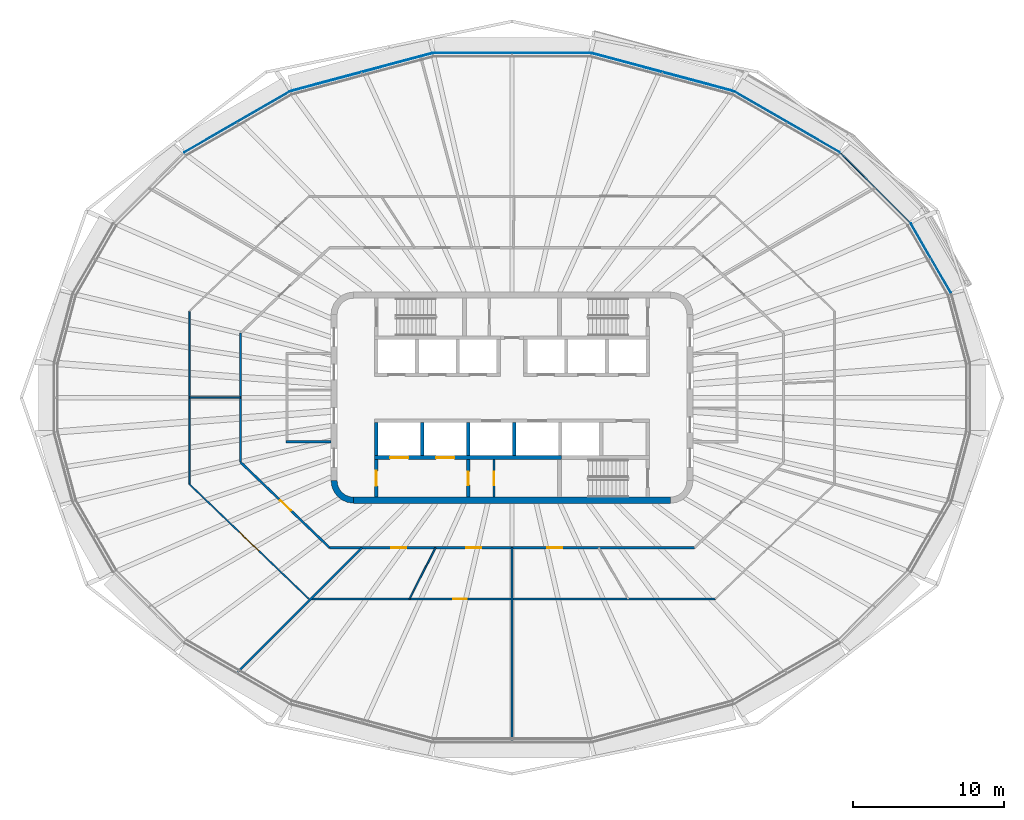
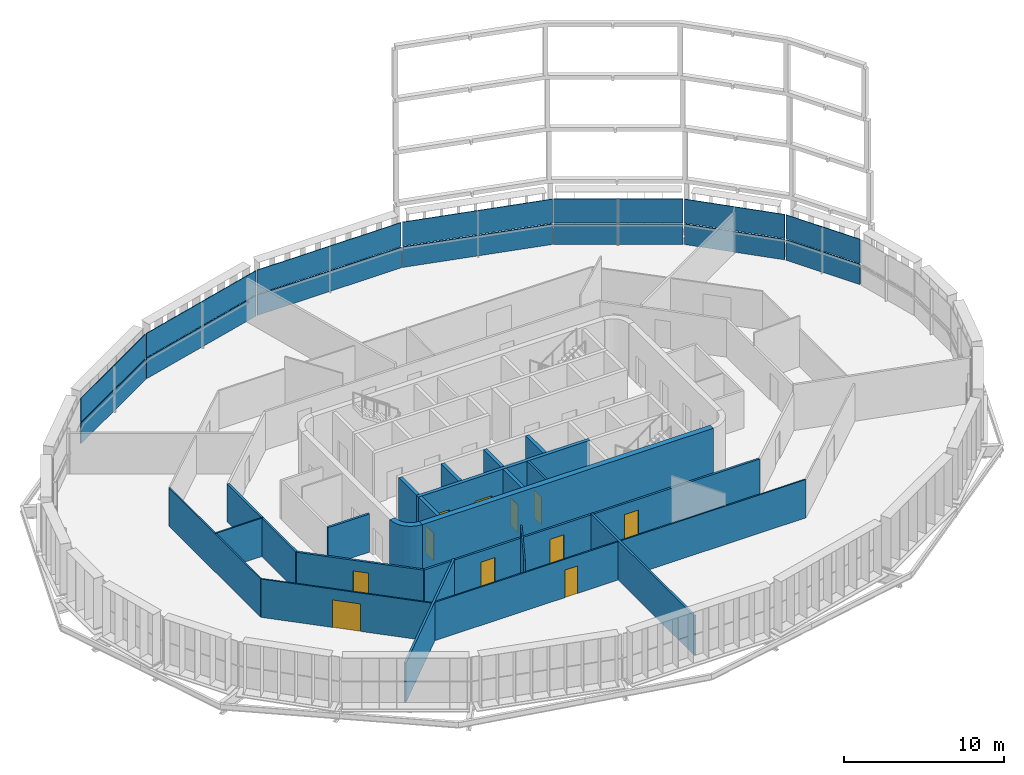
# One storey, part 10 of 20: 21 walls, 14 plates, 11 doors, 11 openings, 7 elements without a shape of their own.
"""IFC4 building model written with IfcOpenShell, lengths in metres."""

from ifc_helpers import new_model, si_unit, direction, frame, frame_2d, origin, place, context, subcontext, project, spatial, polyline, rectangle, outline, extrude, material, layer, layer_set, type_object, element, fill, aggregate, save


model = new_model("IFC4")

# Units and contexts
model_context = context("Model", 3, precision=1e-05, world=origin(), true_north=direction((0.0, 1.0)))
body_context = subcontext(model_context, "Body", "Model", "MODEL_VIEW")
ifc_project = project(units=[si_unit("LENGTHUNIT", "METRE"), si_unit("AREAUNIT", "SQUARE_METRE"), si_unit("VOLUMEUNIT", "CUBIC_METRE"), si_unit("PLANEANGLEUNIT", "RADIAN"), si_unit("MASSUNIT", "GRAM", prefix="KILO")], contexts=[model_context])

# Site, building, storey
site_placement = place(None, origin())
site = spatial("IfcSite", under=ifc_project, at=site_placement, CompositionType="ELEMENT")
building_placement = place(site_placement, origin())
building = spatial("IfcBuilding", under=site, at=building_placement, Name="Sahrelin Media Tower", CompositionType="ELEMENT")
storey_placement = place(building_placement, frame((0.0, 0.0, 255.0)))
storey = spatial("IfcBuildingStorey", under=building, at=storey_placement, Name="L55", CompositionType="ELEMENT", Elevation=255.0)

# Curtain wall, plate
ifc_material_1 = material(Name="Champagne anodised aluminium 6063-T6", Category="aluminium")
ifc_layer_1 = layer(ifc_material_1, 0.14990234375)
ifc_layer_set_1 = layer_set([ifc_layer_1], Name="Tower ribbon curtain wall")
curtain_wall_type = type_object("IfcCurtainWallType", Name="Tower ribbon curtain wall", PredefinedType="NOTDEFINED", material=ifc_layer_set_1)
curtain_wall_1_placement = place(storey_placement, frame((27.784912109375, 9.243408203125, 0.0), z_axis=(0.0, 0.0, 1.0), x_axis=(1.0, 0.0, 0.0)))
curtain_wall_1 = element("IfcCurtainWall", 1, at=curtain_wall_1_placement, inside=storey, type_object=curtain_wall_type, Name="L55:CW:L55-02", PredefinedType="NOTDEFINED")
ifc_material_2 = material(Name="Clear low-iron glazing", Category="glass")
ifc_layer_2 = layer(ifc_material_2, 0.048095703125)
ifc_layer_set_2 = layer_set([ifc_layer_2], Name="Glazing panel 48 mm CW1C")
plate_type_1 = type_object("IfcPlateType", Name="Glazing panel 48 mm CW1C", PredefinedType="CURTAIN_PANEL", material=ifc_layer_set_2)
plate_1_placement = place(storey_placement, frame((29.133544921875, 6.947509765625, 1.6298828125), z_axis=(0.866019923683, 0.500009491695, 0.0), x_axis=(-0.500009491695, 0.866019923683, 0.0)))
plate_1 = element("IfcPlate", 2, at=plate_1_placement, type_object=plate_type_1, Name="L55:CWP2:L55-02", PredefinedType="CURTAIN_PANEL", context=body_context, shape_type="SweptSolid", body=[
    extrude(outline(polyline([(0.0, 0.0), (5.32568359375, 0.0), (5.32568359375, 1.818603515625), (0.0, 1.818603515625), (0.0, 0.0)])), origin(), (0.0, 0.0, -1.0), 0.048095703125),
])

curtain_wall_2_placement = place(storey_placement, frame((24.102294921875, 13.9189453125, 0.0), z_axis=(0.0, 0.0, 1.0), x_axis=(1.0, 0.0, 0.0)))
curtain_wall_2 = element("IfcCurtainWall", 3, at=curtain_wall_2_placement, inside=storey, type_object=curtain_wall_type, Name="L55:CW:L55-03", PredefinedType="NOTDEFINED")
plate_2_placement = place(storey_placement, frame((26.4072265625, 11.642333984375, 1.6298828125), z_axis=(0.707106781187, 0.707106781187, 0.0), x_axis=(-0.707106781187, 0.707106781187, 0.0)))
plate_2 = element("IfcPlate", 4, at=plate_2_placement, type_object=plate_type_1, Name="L55:CWP2:L55-03", PredefinedType="CURTAIN_PANEL", context=body_context, shape_type="SweptSolid", body=[
    extrude(outline(polyline([(0.0, 0.0), (6.479248046875, 0.0), (6.479248046875, 1.818603515625), (0.0, 1.818603515625), (0.0, 0.0)])), origin(), (0.0, 0.0, -1.0), 0.048095703125),
])

curtain_wall_3_placement = place(storey_placement, frame((18.234375, 18.2900390625, 0.0), z_axis=(0.0, 0.0, 1.0), x_axis=(1.0, 0.0, 0.0)))
curtain_wall_3 = element("IfcCurtainWall", 5, at=curtain_wall_3_placement, inside=storey, type_object=curtain_wall_type, Name="L55:CW:L55-04", PredefinedType="NOTDEFINED")
plate_3_placement = place(storey_placement, frame((21.742919921875, 16.287353515625, 1.6298828125), z_axis=(0.500012779794, 0.866018025241, 0.0), x_axis=(-0.866018025241, 0.500012779794, 0.0)))
plate_3 = element("IfcPlate", 6, at=plate_3_placement, type_object=plate_type_1, Name="L55:CWP2:L55-04", PredefinedType="CURTAIN_PANEL", context=body_context, shape_type="SweptSolid", body=[
    extrude(outline(polyline([(0.0, 0.0), (8.079833984375, 0.0), (8.079833984375, 1.818603515625), (0.0, 1.818603515625), (0.0, 0.0)])), origin(), (0.0, 0.0, -1.0), 0.048095703125),
])

curtain_wall_4_placement = place(storey_placement, frame((9.96875, 21.6005859375, 0.0), z_axis=(0.0, 0.0, 1.0), x_axis=(1.0, 0.0, 0.0)))
curtain_wall_4 = element("IfcCurtainWall", 7, at=curtain_wall_4_placement, inside=storey, type_object=curtain_wall_type, Name="L55:CW:L55-05", PredefinedType="NOTDEFINED")
plate_4_placement = place(storey_placement, frame((14.649169921875, 20.3671875, 1.6298828125), z_axis=(0.258831891079, 0.965922384129, 0.0), x_axis=(-0.965922384129, 0.258831891079, 0.0)))
plate_4 = element("IfcPlate", 8, at=plate_4_placement, type_object=plate_type_1, Name="L55:CWP2:L55-05", PredefinedType="CURTAIN_PANEL", context=body_context, shape_type="SweptSolid", body=[
    extrude(outline(polyline([(0.0, 0.0), (9.680419921875, 0.0), (9.680419921875, 1.818603515625), (0.0, 1.818603515625), (0.0, 0.0)])), origin(), (0.0, 0.0, -1.0), 0.048095703125),
])

curtain_wall_5_placement = place(storey_placement, frame((0.0, 22.8662109375, 0.0), z_axis=(0.0, 0.0, 1.0), x_axis=(1.0, 0.0, 0.0)))
curtain_wall_5 = element("IfcCurtainWall", 9, at=curtain_wall_5_placement, inside=storey, type_object=curtain_wall_type, Name="L55:CW:L55-06", PredefinedType="NOTDEFINED")
plate_5_placement = place(storey_placement, frame((5.1953125, 22.88623046875, 1.6298828125), z_axis=(0.0, 1.0, 0.0), x_axis=(-1.0, 0.0, 0.0)))
plate_5 = element("IfcPlate", 10, at=plate_5_placement, type_object=plate_type_1, Name="L55:CWP2:L55-06", PredefinedType="CURTAIN_PANEL", context=body_context, shape_type="SweptSolid", body=[
    extrude(outline(polyline([(0.0, 0.0), (10.390625, 0.0), (10.390625, 1.818603515625), (0.0, 1.818603515625), (0.0, 0.0)])), origin(), (0.0, 0.0, -1.0), 0.048095703125),
])

curtain_wall_6_placement = place(storey_placement, frame((-9.96875, 21.6005859375, 0.0), z_axis=(0.0, 0.0, 1.0), x_axis=(1.0, 0.0, 0.0)))
curtain_wall_6 = element("IfcCurtainWall", 11, at=curtain_wall_6_placement, inside=storey, type_object=curtain_wall_type, Name="L55:CW:L55-07", PredefinedType="NOTDEFINED")
plate_6_placement = place(storey_placement, frame((-5.298583984375, 22.872802734375, 1.6298828125), z_axis=(-0.258831891079, 0.965922384129, 0.0), x_axis=(-0.965922384129, -0.258831891079, 0.0)))
plate_6 = element("IfcPlate", 12, at=plate_6_placement, type_object=plate_type_1, Name="L55:CWP2:L55-07", PredefinedType="CURTAIN_PANEL", context=body_context, shape_type="SweptSolid", body=[
    extrude(outline(polyline([(0.0, 0.0), (9.680419921875, 0.0), (9.680419921875, 1.818603515625), (0.0, 1.818603515625), (0.0, 0.0)])), origin(), (0.0, 0.0, -1.0), 0.048095703125),
])

curtain_wall_7_placement = place(storey_placement, frame((-18.234375, 18.2900390625, 0.0), z_axis=(0.0, 0.0, 1.0), x_axis=(1.0, 0.0, 0.0)))
curtain_wall_7 = element("IfcCurtainWall", 13, at=curtain_wall_7_placement, inside=storey, type_object=curtain_wall_type, Name="L55:CW:L55-08", PredefinedType="NOTDEFINED")
plate_7_placement = place(storey_placement, frame((-14.74560546875, 20.327392578125, 1.6298828125), z_axis=(-0.500012779794, 0.866018025241, 0.0), x_axis=(-0.866018025241, -0.500012779794, 0.0)))
plate_7 = element("IfcPlate", 14, at=plate_7_placement, type_object=plate_type_1, Name="L55:CWP2:L55-08", PredefinedType="CURTAIN_PANEL", context=body_context, shape_type="SweptSolid", body=[
    extrude(outline(polyline([(0.0, 0.0), (8.079833984375, 0.0), (8.079833984375, 1.818603515625), (0.0, 1.818603515625), (0.0, 0.0)])), origin(), (0.0, 0.0, -1.0), 0.048095703125),
])

# Plate
ifc_material_3 = material(Name="Insulated spandrel panel")
ifc_layer_3 = layer(ifc_material_3, 0.06005859375)
ifc_layer_set_3 = layer_set([ifc_layer_3], Name="Spandrel panel 60 mm CW1")
plate_type_2 = type_object("IfcPlateType", Name="Spandrel panel 60 mm CW1", PredefinedType="SHEET", material=ifc_layer_set_3)
plate_8_placement = place(storey_placement, frame((29.133544921875, 6.947509765625, 0.0), z_axis=(0.866019923683, 0.500009491695, 0.0), x_axis=(-0.500009491695, 0.866019923683, 0.0)))
plate_8 = element("IfcPlate", 15, at=plate_8_placement, type_object=plate_type_2, Name="L55:CWP1:L55-02", PredefinedType="SHEET", context=body_context, shape_type="SweptSolid", body=[
    extrude(outline(polyline([(0.0, 0.0), (5.32568359375, 0.0), (5.32568359375, 1.570068359375), (0.0, 1.570068359375), (0.0, 0.0)])), origin(), (0.0, 0.0, -1.0), 0.06005859375),
])

aggregate(curtain_wall_1, [plate_8, plate_1])

plate_9_placement = place(storey_placement, frame((26.4072265625, 11.642333984375, 0.0), z_axis=(0.707106781187, 0.707106781187, 0.0), x_axis=(-0.707106781187, 0.707106781187, 0.0)))
plate_9 = element("IfcPlate", 16, at=plate_9_placement, type_object=plate_type_2, Name="L55:CWP1:L55-03", PredefinedType="SHEET", context=body_context, shape_type="SweptSolid", body=[
    extrude(outline(polyline([(0.0, 0.0), (6.479248046875, 0.0), (6.479248046875, 1.570068359375), (0.0, 1.570068359375), (0.0, 0.0)])), origin(), (0.0, 0.0, -1.0), 0.06005859375),
])

aggregate(curtain_wall_2, [plate_9, plate_2])

plate_10_placement = place(storey_placement, frame((21.742919921875, 16.287353515625, 0.0), z_axis=(0.500012779794, 0.866018025241, 0.0), x_axis=(-0.866018025241, 0.500012779794, 0.0)))
plate_10 = element("IfcPlate", 17, at=plate_10_placement, type_object=plate_type_2, Name="L55:CWP1:L55-04", PredefinedType="SHEET", context=body_context, shape_type="SweptSolid", body=[
    extrude(outline(polyline([(0.0, 0.0), (8.079833984375, 0.0), (8.079833984375, 1.570068359375), (0.0, 1.570068359375), (0.0, 0.0)])), origin(), (0.0, 0.0, -1.0), 0.06005859375),
])

aggregate(curtain_wall_3, [plate_10, plate_3])

plate_11_placement = place(storey_placement, frame((14.649169921875, 20.3671875, 0.0), z_axis=(0.258831891079, 0.965922384129, 0.0), x_axis=(-0.965922384129, 0.258831891079, 0.0)))
plate_11 = element("IfcPlate", 18, at=plate_11_placement, type_object=plate_type_2, Name="L55:CWP1:L55-05", PredefinedType="SHEET", context=body_context, shape_type="SweptSolid", body=[
    extrude(outline(polyline([(0.0, 0.0), (9.680419921875, 0.0), (9.680419921875, 1.570068359375), (0.0, 1.570068359375), (0.0, 0.0)])), origin(), (0.0, 0.0, -1.0), 0.06005859375),
])

aggregate(curtain_wall_4, [plate_11, plate_4])

plate_12_placement = place(storey_placement, frame((5.1953125, 22.88623046875, 0.0), z_axis=(0.0, 1.0, 0.0), x_axis=(-1.0, 0.0, 0.0)))
plate_12 = element("IfcPlate", 19, at=plate_12_placement, type_object=plate_type_2, Name="L55:CWP1:L55-06", PredefinedType="SHEET", context=body_context, shape_type="SweptSolid", body=[
    extrude(outline(polyline([(0.0, 0.0), (10.390625, 0.0), (10.390625, 1.570068359375), (0.0, 1.570068359375), (0.0, 0.0)])), origin(), (0.0, 0.0, -1.0), 0.06005859375),
])

aggregate(curtain_wall_5, [plate_12, plate_5])

plate_13_placement = place(storey_placement, frame((-5.298583984375, 22.872802734375, 0.0), z_axis=(-0.258831891079, 0.965922384129, 0.0), x_axis=(-0.965922384129, -0.258831891079, 0.0)))
plate_13 = element("IfcPlate", 20, at=plate_13_placement, type_object=plate_type_2, Name="L55:CWP1:L55-07", PredefinedType="SHEET", context=body_context, shape_type="SweptSolid", body=[
    extrude(outline(polyline([(0.0, 0.0), (9.680419921875, 0.0), (9.680419921875, 1.570068359375), (0.0, 1.570068359375), (0.0, 0.0)])), origin(), (0.0, 0.0, -1.0), 0.06005859375),
])

aggregate(curtain_wall_6, [plate_13, plate_6])

plate_14_placement = place(storey_placement, frame((-14.74560546875, 20.327392578125, 0.0), z_axis=(-0.500012779794, 0.866018025241, 0.0), x_axis=(-0.866018025241, -0.500012779794, 0.0)))
plate_14 = element("IfcPlate", 21, at=plate_14_placement, type_object=plate_type_2, Name="L55:CWP1:L55-08", PredefinedType="SHEET", context=body_context, shape_type="SweptSolid", body=[
    extrude(outline(polyline([(0.0, 0.0), (8.079833984375, 0.0), (8.079833984375, 1.570068359375), (0.0, 1.570068359375), (0.0, 0.0)])), origin(), (0.0, 0.0, -1.0), 0.06005859375),
])

aggregate(curtain_wall_7, [plate_14, plate_7])

# Walls
ifc_material_4 = material(Name="Concrete C60/75", Category="concrete")
ifc_layer_4 = layer(ifc_material_4, 0.39990234375)
ifc_layer_set_4 = layer_set([ifc_layer_4], Name="Core wall 400")
wall_type_1 = type_object("IfcWallType", Name="Core wall 400", PredefinedType="SHEAR", material=ifc_layer_set_4)
wall_1_placement = place(storey_placement, frame((-10.5, -6.800048828125, 0.0), z_axis=(0.0, 0.0, 1.0), x_axis=(1.0, 0.0, 0.0)))
element("IfcWall", 22, at=wall_1_placement, inside=storey, type_object=wall_type_1, Name="Core wall S L55", PredefinedType="SHEAR", context=body_context, shape_type="SweptSolid", body=[
    extrude(rectangle(XDim=21.0, YDim=0.39990234375, at=frame_2d((10.5, 0.0))), origin(), (0.0, 0.0, 1.0), 4.0),
])
wall_2_placement = place(storey_placement, origin())
element("IfcWall", 23, at=wall_2_placement, inside=storey, type_object=wall_type_1, Name="Core wall corner SW L55", PredefinedType="SHEAR", context=body_context, shape_type="SweptSolid", body=[
    extrude(outline(polyline([(-10.5, -7.0), (-10.5, -6.596435546875), (-10.78369140625, -6.55908203125), (-11.04833984375, -6.44970703125), (-11.275390625, -6.275390625), (-11.44970703125, -6.04833984375), (-11.55908203125, -5.78369140625), (-11.596435546875, -5.5), (-12.0, -5.5), (-11.948974609375, -5.88818359375), (-11.799072265625, -6.25), (-11.560791015625, -6.560791015625), (-11.25, -6.799072265625), (-10.88818359375, -6.948974609375), (-10.5, -7.0)])), origin(), (0.0, 0.0, 1.0), 4.0),
])

# Wall, opening, door
ifc_material_5 = material(Name="Fire-rated gypsum board partition")
ifc_layer_5 = layer(ifc_material_5, 0.14990234375)
ifc_layer_set_5 = layer_set([ifc_layer_5], Name="Fire-rated partition 150")
wall_type_2 = type_object("IfcWallType", Name="Fire-rated partition 150", PredefinedType="PARTITIONING", material=ifc_layer_set_5)
wall_3_placement = place(storey_placement, frame((-1.199951171875, -6.60009765625, 0.0), z_axis=(0.0, 0.0, 1.0), x_axis=(0.0, 1.0, 0.0)))
wall_3 = element("IfcWall", 24, at=wall_3_placement, inside=storey, type_object=wall_type_2, Name="Core room fire partition", PredefinedType="PARTITIONING", context=body_context, shape_type="SweptSolid", body=[
    extrude(rectangle(XDim=2.5, YDim=0.14990234375, at=frame_2d((1.25, 0.0))), origin(), (0.0, 0.0, 1.0), 3.85009765625),
])
opening_1_placement = place(wall_3_placement, frame((0.800048828125, 0.0, 0.0)))
opening_1 = element("IfcOpeningElement", 25, at=opening_1_placement, cuts=wall_3, Name="Opening L55-D08", PredefinedType="OPENING", context=body_context, shape_type="SweptSolid", body=[
    extrude(rectangle(XDim=0.89990234375, YDim=2.10009765625, at=frame_2d((0.449951171875, 1.050048828125))), frame((0.0, 0.074951171875, 0.0), z_axis=(0.0, -1.0, 0.0), x_axis=(1.0, 0.0, 0.0)), (0.0, 0.0, 1.0), 0.14990234375),
])
ifc_material_6 = material(Name="Steel fire door leaf", Category="steel")
door_type_1 = type_object("IfcDoorType", Name="Fire door 900 x 2100 EI 60", OperationType="NOTDEFINED", PredefinedType="DOOR", material=ifc_material_6)
door_1_placement = place(opening_1_placement, origin())
door_1 = element("IfcDoor", 26, at=door_1_placement, inside=storey, type_object=door_type_1, Name="Core room door", OperationType="SINGLE_SWING_RIGHT", OverallHeight=2.10009765625, OverallWidth=0.89990234375, PredefinedType="DOOR", context=body_context, shape_type="SweptSolid", body=[
    extrude(rectangle(XDim=0.89990234375, YDim=2.10009765625, at=frame_2d((0.449951171875, 1.050048828125))), frame((0.0, 0.02490234375, 0.0), z_axis=(0.0, -1.0, 0.0), x_axis=(1.0, 0.0, 0.0)), (0.0, 0.0, 1.0), 0.050048828125),
])
fill(opening_1, door_1)

# Wall
wall_4_placement = place(storey_placement, frame((-15.0, -2.925048828125, 0.0), z_axis=(0.0, 0.0, 1.0), x_axis=(1.0, 0.0, 0.0)))
element("IfcWall", 27, at=wall_4_placement, inside=storey, type_object=wall_type_2, Name="Core room fire partition", PredefinedType="PARTITIONING", context=body_context, shape_type="SweptSolid", body=[
    extrude(rectangle(XDim=3.0, YDim=0.14990234375, at=frame_2d((1.5, 0.0))), origin(), (0.0, 0.0, 1.0), 2.918212890625),
])

# Wall, opening, door
wall_5_placement = place(storey_placement, frame((-18.0, -4.278076171875, 0.0), z_axis=(0.0, 0.0, 1.0), x_axis=(0.721290181137, -0.692633001376, 0.0)))
wall_5 = element("IfcWall", 28, at=wall_5_placement, inside=storey, type_object=wall_type_2, Name="Wall", PredefinedType="PARTITIONING", context=body_context, shape_type="SweptSolid", body=[
    extrude(rectangle(XDim=8.18701171875, YDim=0.14990234375, at=frame_2d((4.093505859375, 0.0))), origin(), (0.0, 0.0, 1.0), 2.918212890625),
])
opening_2_placement = place(wall_5_placement, frame((3.64501953125, 0.0, 0.0)))
opening_2 = element("IfcOpeningElement", 29, at=opening_2_placement, cuts=wall_5, Name="Opening L55-D26", PredefinedType="OPENING", context=body_context, shape_type="SweptSolid", body=[
    extrude(rectangle(XDim=1.0, YDim=2.10009765625, at=frame_2d((0.5, 1.050048828125))), frame((0.0, 0.074951171875, 0.0), z_axis=(0.0, -1.0, 0.0), x_axis=(1.0, 0.0, 0.0)), (0.0, 0.0, 1.0), 0.14990234375),
])
door_type_2 = type_object("IfcDoorType", Name="Fire door 1000 x 2100 EI 60", OperationType="NOTDEFINED", PredefinedType="DOOR", material=ifc_material_6)
door_2_placement = place(opening_2_placement, origin())
door_2 = element("IfcDoor", 30, at=door_2_placement, inside=storey, type_object=door_type_2, Name="Fire door", OperationType="SINGLE_SWING_RIGHT", OverallHeight=2.10009765625, OverallWidth=1.0, PredefinedType="DOOR", context=body_context, shape_type="SweptSolid", body=[
    extrude(rectangle(XDim=1.0, YDim=2.10009765625, at=frame_2d((0.5, 1.050048828125))), frame((0.0, 0.02490234375, 0.0), z_axis=(0.0, -1.0, 0.0), x_axis=(1.0, 0.0, 0.0)), (0.0, 0.0, 1.0), 0.050048828125),
])
fill(opening_2, door_2)

# Wall, openings, doors
wall_6_placement = place(storey_placement, frame((-12.094970703125, -9.948974609375, 0.0), z_axis=(0.0, 0.0, 1.0), x_axis=(1.0, 0.0, 0.0)))
wall_6 = element("IfcWall", 31, at=wall_6_placement, inside=storey, type_object=wall_type_2, Name="Wall", PredefinedType="PARTITIONING", context=body_context, shape_type="SweptSolid", body=[
    extrude(rectangle(XDim=24.18994140625, YDim=0.14990234375, at=frame_2d((12.094970703125, 0.0))), origin(), (0.0, 0.0, 1.0), 2.927001953125),
])
opening_3_placement = place(wall_6_placement, frame((4.0859375, 0.0, 0.0)))
opening_3 = element("IfcOpeningElement", 32, at=opening_3_placement, cuts=wall_6, Name="Opening L55-D28", PredefinedType="OPENING", context=body_context, shape_type="SweptSolid", body=[
    extrude(rectangle(XDim=1.0, YDim=2.10009765625, at=frame_2d((0.5, 1.050048828125))), frame((0.0, 0.074951171875, 0.0), z_axis=(0.0, -1.0, 0.0), x_axis=(1.0, 0.0, 0.0)), (0.0, 0.0, 1.0), 0.14990234375),
])
opening_4_placement = place(wall_6_placement, frame((9.060546875, 0.0, 0.0)))
opening_4 = element("IfcOpeningElement", 33, at=opening_4_placement, cuts=wall_6, Name="Opening L55-D29", PredefinedType="OPENING", context=body_context, shape_type="SweptSolid", body=[
    extrude(rectangle(XDim=1.0, YDim=2.10009765625, at=frame_2d((0.5, 1.050048828125))), frame((0.0, 0.074951171875, 0.0), z_axis=(0.0, -1.0, 0.0), x_axis=(1.0, 0.0, 0.0)), (0.0, 0.0, 1.0), 0.14990234375),
])
opening_5_placement = place(wall_6_placement, frame((14.41650390625, 0.0, 0.0)))
opening_5 = element("IfcOpeningElement", 34, at=opening_5_placement, cuts=wall_6, Name="Opening L55-D31", PredefinedType="OPENING", context=body_context, shape_type="SweptSolid", body=[
    extrude(rectangle(XDim=1.0, YDim=2.10009765625, at=frame_2d((0.5, 1.050048828125))), frame((0.0, 0.074951171875, 0.0), z_axis=(0.0, -1.0, 0.0), x_axis=(1.0, 0.0, 0.0)), (0.0, 0.0, 1.0), 0.14990234375),
])
door_3_placement = place(opening_3_placement, origin())
door_3 = element("IfcDoor", 35, at=door_3_placement, inside=storey, type_object=door_type_2, Name="Fire door", OperationType="SINGLE_SWING_RIGHT", OverallHeight=2.10009765625, OverallWidth=1.0, PredefinedType="DOOR", context=body_context, shape_type="SweptSolid", body=[
    extrude(rectangle(XDim=1.0, YDim=2.10009765625, at=frame_2d((0.5, 1.050048828125))), frame((0.0, 0.02490234375, 0.0), z_axis=(0.0, -1.0, 0.0), x_axis=(1.0, 0.0, 0.0)), (0.0, 0.0, 1.0), 0.050048828125),
])
fill(opening_3, door_3)
door_4_placement = place(opening_4_placement, origin())
door_4 = element("IfcDoor", 36, at=door_4_placement, inside=storey, type_object=door_type_2, Name="Fire door", OperationType="SINGLE_SWING_LEFT", OverallHeight=2.10009765625, OverallWidth=1.0, PredefinedType="DOOR", context=body_context, shape_type="SweptSolid", body=[
    extrude(rectangle(XDim=1.0, YDim=2.10009765625, at=frame_2d((0.5, 1.050048828125))), frame((0.0, 0.02490234375, 0.0), z_axis=(0.0, -1.0, 0.0), x_axis=(1.0, 0.0, 0.0)), (0.0, 0.0, 1.0), 0.050048828125),
])
fill(opening_4, door_4)
door_5_placement = place(opening_5_placement, origin())
door_5 = element("IfcDoor", 37, at=door_5_placement, inside=storey, type_object=door_type_2, Name="Fire door", OperationType="SINGLE_SWING_LEFT", OverallHeight=2.10009765625, OverallWidth=1.0, PredefinedType="DOOR", context=body_context, shape_type="SweptSolid", body=[
    extrude(rectangle(XDim=1.0, YDim=2.10009765625, at=frame_2d((0.5, 1.050048828125))), frame((0.0, 0.02490234375, 0.0), z_axis=(0.0, -1.0, 0.0), x_axis=(1.0, 0.0, 0.0)), (0.0, 0.0, 1.0), 0.050048828125),
])
fill(opening_5, door_5)

# Walls
wall_7_placement = place(storey_placement, frame((-18.27001953125, -18.27001953125, 0.0), z_axis=(0.0, 0.0, 1.0), x_axis=(0.707106781187, 0.707106781187, 0.0)))
element("IfcWall", 38, at=wall_7_placement, inside=storey, type_object=wall_type_2, Name="Wall", PredefinedType="PARTITIONING", context=body_context, shape_type="SweptSolid", body=[
    extrude(rectangle(XDim=11.767822265625, YDim=0.14990234375, at=frame_2d((5.8837890625, 0.0))), origin(), (0.0, 0.0, 1.0), 2.9951171875),
])
wall_8_placement = place(storey_placement, frame((0.0, -22.865966796875, 0.0), z_axis=(0.0, 0.0, 1.0), x_axis=(0.0, 1.0, 0.0)))
element("IfcWall", 39, at=wall_8_placement, inside=storey, type_object=wall_type_2, Name="Wall", PredefinedType="PARTITIONING", context=body_context, shape_type="SweptSolid", body=[
    extrude(rectangle(XDim=12.9169921875, YDim=0.14990234375, at=frame_2d((6.45849609375, 0.0))), origin(), (0.0, 0.0, 1.0), 2.9951171875),
])
wall_9_placement = place(storey_placement, frame((-18.0, -4.278076171875, 0.0), z_axis=(0.0, 0.0, 1.0), x_axis=(0.0, 1.0, 0.0)))
element("IfcWall", 40, at=wall_9_placement, inside=storey, type_object=wall_type_2, Name="Wall", PredefinedType="PARTITIONING", context=body_context, shape_type="SweptSolid", body=[
    extrude(rectangle(XDim=8.55615234375, YDim=0.14990234375, at=frame_2d((4.278076171875, 0.0))), origin(), (0.0, 0.0, 1.0), 2.918212890625),
])

# Wall, opening, door
ifc_layer_6 = layer(ifc_material_5, 0.25)
ifc_layer_set_6 = layer_set([ifc_layer_6], Name="Firefighting lobby wall 250")
wall_type_3 = type_object("IfcWallType", Name="Firefighting lobby wall 250", PredefinedType="PARTITIONING", material=ifc_layer_set_6)
wall_10_placement = place(storey_placement, frame((-9.0, -6.60009765625, 0.0), z_axis=(0.0, 0.0, 1.0), x_axis=(0.0, 1.0, 0.0)))
wall_10 = element("IfcWall", 41, at=wall_10_placement, inside=storey, type_object=wall_type_3, Name="Core wall", PredefinedType="PARTITIONING", context=body_context, shape_type="SweptSolid", body=[
    extrude(rectangle(XDim=2.5, YDim=0.25, at=frame_2d((1.25, 0.0))), origin(), (0.0, 0.0, 1.0), 3.85009765625),
])
opening_6_placement = place(wall_10_placement, frame((0.75, 0.0, 0.0)))
opening_6 = element("IfcOpeningElement", 42, at=opening_6_placement, cuts=wall_10, Name="Opening L55-D04", PredefinedType="OPENING", context=body_context, shape_type="SweptSolid", body=[
    extrude(rectangle(XDim=1.0, YDim=2.10009765625, at=frame_2d((0.5, 1.050048828125))), frame((0.0, 0.125, 0.0), z_axis=(0.0, -1.0, 0.0), x_axis=(1.0, 0.0, 0.0)), (0.0, 0.0, 1.0), 0.25),
])
door_type_3 = type_object("IfcDoorType", Name="Firefighting lobby door 1000 x 2100 EI 120", OperationType="NOTDEFINED", PredefinedType="DOOR", material=ifc_material_6)
door_6_placement = place(opening_6_placement, origin())
door_6 = element("IfcDoor", 43, at=door_6_placement, inside=storey, type_object=door_type_3, Name="Firefighting lobby door", OperationType="SINGLE_SWING_LEFT", OverallHeight=2.10009765625, OverallWidth=1.0, PredefinedType="DOOR", context=body_context, shape_type="SweptSolid", body=[
    extrude(rectangle(XDim=1.0, YDim=2.10009765625, at=frame_2d((0.5, 1.050048828125))), frame((0.0, 0.02490234375, 0.0), z_axis=(0.0, -1.0, 0.0), x_axis=(1.0, 0.0, 0.0)), (0.0, 0.0, 1.0), 0.050048828125),
])
fill(opening_6, door_6)

wall_11_placement = place(storey_placement, frame((-2.89990234375, -6.60009765625, 0.0), z_axis=(0.0, 0.0, 1.0), x_axis=(0.0, 1.0, 0.0)))
wall_11 = element("IfcWall", 44, at=wall_11_placement, inside=storey, type_object=wall_type_3, Name="Core wall", PredefinedType="PARTITIONING", context=body_context, shape_type="SweptSolid", body=[
    extrude(rectangle(XDim=2.5, YDim=0.25, at=frame_2d((1.25, 0.0))), origin(), (0.0, 0.0, 1.0), 3.85009765625),
])
opening_7_placement = place(wall_11_placement, frame((0.800048828125, 0.0, 0.0)))
opening_7 = element("IfcOpeningElement", 45, at=opening_7_placement, cuts=wall_11, Name="Opening L55-D05", PredefinedType="OPENING", context=body_context, shape_type="SweptSolid", body=[
    extrude(rectangle(XDim=0.89990234375, YDim=2.10009765625, at=frame_2d((0.449951171875, 1.050048828125))), frame((0.0, 0.125, 0.0), z_axis=(0.0, -1.0, 0.0), x_axis=(1.0, 0.0, 0.0)), (0.0, 0.0, 1.0), 0.25),
])
door_type_4 = type_object("IfcDoorType", Name="Firefighting lobby door 900 x 2100 EI 120", OperationType="NOTDEFINED", PredefinedType="DOOR", material=ifc_material_6)
door_7_placement = place(opening_7_placement, origin())
door_7 = element("IfcDoor", 46, at=door_7_placement, inside=storey, type_object=door_type_4, Name="Riser door", OperationType="SINGLE_SWING_RIGHT", OverallHeight=2.10009765625, OverallWidth=0.89990234375, PredefinedType="DOOR", context=body_context, shape_type="SweptSolid", body=[
    extrude(rectangle(XDim=0.89990234375, YDim=2.10009765625, at=frame_2d((0.449951171875, 1.050048828125))), frame((0.0, 0.02490234375, 0.0), z_axis=(0.0, -1.0, 0.0), x_axis=(1.0, 0.0, 0.0)), (0.0, 0.0, 1.0), 0.050048828125),
])
fill(opening_7, door_7)

# Wall, openings, doors
ifc_layer_7 = layer(ifc_material_4, 0.25)
ifc_layer_set_7 = layer_set([ifc_layer_7], Name="Lift shaft wall 250")
wall_type_4 = type_object("IfcWallType", Name="Lift shaft wall 250", PredefinedType="SOLIDWALL", material=ifc_layer_set_7)
wall_12_placement = place(storey_placement, frame((-9.125, -3.97509765625, 0.0), z_axis=(0.0, 0.0, 1.0), x_axis=(1.0, 0.0, 0.0)))
wall_12 = element("IfcWall", 47, at=wall_12_placement, inside=storey, type_object=wall_type_4, Name="Lift shaft wall", PredefinedType="SOLIDWALL", context=body_context, shape_type="SweptSolid", body=[
    extrude(rectangle(XDim=12.39990234375, YDim=0.25, at=frame_2d((6.199951171875, 0.0))), origin(), (0.0, 0.0, 1.0), 3.85009765625),
])
opening_8_placement = place(wall_12_placement, frame((1.050048828125, 0.0, 0.0)))
opening_8 = element("IfcOpeningElement", 48, at=opening_8_placement, cuts=wall_12, Name="Opening L55-LD-FF1", PredefinedType="OPENING", context=body_context, shape_type="SweptSolid", body=[
    extrude(rectangle(XDim=1.199951171875, YDim=2.10009765625, at=frame_2d((0.60009765625, 1.050048828125))), frame((0.0, 0.125, 0.0), z_axis=(0.0, -1.0, 0.0), x_axis=(1.0, 0.0, 0.0)), (0.0, 0.0, 1.0), 0.25),
])
opening_9_placement = place(wall_12_placement, frame((4.10009765625, 0.0, 0.0)))
opening_9 = element("IfcOpeningElement", 49, at=opening_9_placement, cuts=wall_12, Name="Opening L55-LD-FF2", PredefinedType="OPENING", context=body_context, shape_type="SweptSolid", body=[
    extrude(rectangle(XDim=1.199951171875, YDim=2.10009765625, at=frame_2d((0.60009765625, 1.050048828125))), frame((0.0, 0.125, 0.0), z_axis=(0.0, -1.0, 0.0), x_axis=(1.0, 0.0, 0.0)), (0.0, 0.0, 1.0), 0.25),
])
ifc_material_7 = material(Name="Stainless steel", Category="steel")
door_type_5 = type_object("IfcDoorType", Name="Lift landing door 1200 x 2100 EI 120", OperationType="DOUBLE_DOOR_SLIDING", PredefinedType="DOOR", material=ifc_material_7)
door_8_placement = place(opening_8_placement, origin())
door_8 = element("IfcDoor", 50, at=door_8_placement, inside=storey, type_object=door_type_5, Name="Lift landing door FF1", OperationType="DOUBLE_DOOR_SLIDING", OverallHeight=2.10009765625, OverallWidth=1.199951171875, PredefinedType="DOOR", context=body_context, shape_type="SweptSolid", body=[
    extrude(rectangle(XDim=1.199951171875, YDim=2.10009765625, at=frame_2d((0.60009765625, 1.050048828125))), frame((0.0, 0.02490234375, 0.0), z_axis=(0.0, -1.0, 0.0), x_axis=(1.0, 0.0, 0.0)), (0.0, 0.0, 1.0), 0.050048828125),
])
fill(opening_8, door_8)
door_9_placement = place(opening_9_placement, origin())
door_9 = element("IfcDoor", 51, at=door_9_placement, inside=storey, type_object=door_type_5, Name="Lift landing door FF2", OperationType="DOUBLE_DOOR_SLIDING", OverallHeight=2.10009765625, OverallWidth=1.199951171875, PredefinedType="DOOR", context=body_context, shape_type="SweptSolid", body=[
    extrude(rectangle(XDim=1.199951171875, YDim=2.10009765625, at=frame_2d((0.60009765625, 1.050048828125))), frame((0.0, 0.02490234375, 0.0), z_axis=(0.0, -1.0, 0.0), x_axis=(1.0, 0.0, 0.0)), (0.0, 0.0, 1.0), 0.050048828125),
])
fill(opening_9, door_9)

# Walls
for number, where, z_axis, x_axis, name in (
    (52, (-9.0, -3.85009765625, 0.0), (0.0, 0.0, 1.0), (0.0, 1.0, 0.0), "Lift shaft wall"),
    (53, (-5.949951171875, -3.85009765625, 0.0), (0.0, 0.0, 1.0), (0.0, 1.0, 0.0), "Lift shaft wall"),
    (54, (-2.89990234375, -3.85009765625, 0.0), (0.0, 0.0, 1.0), (0.0, 1.0, 0.0), "Lift shaft wall"),
    (55, (0.14990234375, -3.85009765625, 0.0), (0.0, 0.0, 1.0), (0.0, 1.0, 0.0), "Lift shaft wall"),
):
    element("IfcWall", number, at=place(storey_placement, frame(where, z_axis=z_axis, x_axis=x_axis)), inside=storey, type_object=wall_type_4, Name=name, PredefinedType="SOLIDWALL", context=body_context, shape_type="SweptSolid", body=[
        extrude(rectangle(XDim=2.2001953125, YDim=0.25, at=frame_2d((1.10009765625, 0.0))), origin(), (0.0, 0.0, 1.0), 3.85009765625),
    ])

# Wall, opening, door
ifc_material_8 = material(Name="Gypsum board partition")
ifc_layer_8 = layer(ifc_material_8, 0.10009765625)
ifc_layer_set_8 = layer_set([ifc_layer_8], Name="Partition 100")
wall_type_5 = type_object("IfcWallType", Name="Partition 100", PredefinedType="PARTITIONING", material=ifc_layer_set_8)
wall_13_placement = place(storey_placement, frame((-21.39990234375, -5.72705078125, 0.0), z_axis=(0.0, 0.0, 1.0), x_axis=(0.72128312314, -0.692640351317, 0.0)))
wall_13 = element("IfcWall", 56, at=wall_13_placement, inside=storey, type_object=wall_type_5, Name="Wall", PredefinedType="PARTITIONING", context=body_context, shape_type="SweptSolid", body=[
    extrude(rectangle(XDim=11.00390625, YDim=0.10009765625, at=frame_2d((5.501953125, 0.0))), origin(), (0.0, 0.0, 1.0), 2.927001953125),
])
opening_10_placement = place(wall_13_placement, frame((4.6025390625, 0.0, 0.0)))
opening_10 = element("IfcOpeningElement", 57, at=opening_10_placement, cuts=wall_13, Name="Opening L55-D27", PredefinedType="OPENING", context=body_context, shape_type="SweptSolid", body=[
    extrude(rectangle(XDim=1.800048828125, YDim=2.10009765625, at=frame_2d((0.89990234375, 1.050048828125))), frame((0.0, 0.050048828125, 0.0), z_axis=(0.0, -1.0, 0.0), x_axis=(1.0, 0.0, 0.0)), (0.0, 0.0, 1.0), 0.10009765625),
])
ifc_material_9 = material(Name="Timber door leaf", Category="wood")
door_type_6 = type_object("IfcDoorType", Name="Double door 1800 x 2100", OperationType="DOUBLE_DOOR_SINGLE_SWING", PredefinedType="DOOR", material=ifc_material_9)
door_10_placement = place(opening_10_placement, origin())
door_10 = element("IfcDoor", 58, at=door_10_placement, inside=storey, type_object=door_type_6, Name="Double door", OperationType="DOUBLE_DOOR_SINGLE_SWING", OverallHeight=2.10009765625, OverallWidth=1.800048828125, PredefinedType="DOOR", context=body_context, shape_type="SweptSolid", body=[
    extrude(rectangle(XDim=1.800048828125, YDim=2.10009765625, at=frame_2d((0.89990234375, 1.050048828125))), frame((0.0, 0.02490234375, 0.0), z_axis=(0.0, -1.0, 0.0), x_axis=(1.0, 0.0, 0.0)), (0.0, 0.0, 1.0), 0.050048828125),
])
fill(opening_10, door_10)

wall_14_placement = place(storey_placement, frame((-13.34912109375, -13.34912109375, 0.0), z_axis=(0.0, 0.0, 1.0), x_axis=(1.0, 0.0, 0.0)))
wall_14 = element("IfcWall", 59, at=wall_14_placement, inside=storey, type_object=wall_type_5, Name="Wall", PredefinedType="PARTITIONING", context=body_context, shape_type="SweptSolid", body=[
    extrude(rectangle(XDim=26.81201171875, YDim=0.10009765625, at=frame_2d((13.406005859375, 0.0))), origin(), (0.0, 0.0, 1.0), 2.927001953125),
])
opening_11_placement = place(wall_14_placement, frame((9.447998046875, 0.0, 0.0)))
opening_11 = element("IfcOpeningElement", 60, at=opening_11_placement, cuts=wall_14, Name="Opening L55-D30", PredefinedType="OPENING", context=body_context, shape_type="SweptSolid", body=[
    extrude(rectangle(XDim=0.89990234375, YDim=2.10009765625, at=frame_2d((0.449951171875, 1.050048828125))), frame((0.0, 0.050048828125, 0.0), z_axis=(0.0, -1.0, 0.0), x_axis=(1.0, 0.0, 0.0)), (0.0, 0.0, 1.0), 0.10009765625),
])
door_type_7 = type_object("IfcDoorType", Name="Single door 900 x 2100", OperationType="NOTDEFINED", PredefinedType="DOOR", material=ifc_material_9)
door_11_placement = place(opening_11_placement, origin())
door_11 = element("IfcDoor", 61, at=door_11_placement, inside=storey, type_object=door_type_7, Name="Single door", OperationType="SINGLE_SWING_RIGHT", OverallHeight=2.10009765625, OverallWidth=0.89990234375, PredefinedType="DOOR", context=body_context, shape_type="SweptSolid", body=[
    extrude(rectangle(XDim=0.89990234375, YDim=2.10009765625, at=frame_2d((0.449951171875, 1.050048828125))), frame((0.0, 0.02490234375, 0.0), z_axis=(0.0, -1.0, 0.0), x_axis=(1.0, 0.0, 0.0)), (0.0, 0.0, 1.0), 0.050048828125),
])
fill(opening_11, door_11)

# Walls
wall_15_placement = place(storey_placement, frame((-21.39990234375, 0.0, 0.0), z_axis=(0.0, 0.0, 1.0), x_axis=(1.0, 0.0, 0.0)))
element("IfcWall", 62, at=wall_15_placement, inside=storey, type_object=wall_type_5, Name="Wall", PredefinedType="PARTITIONING", context=body_context, shape_type="SweptSolid", body=[
    extrude(rectangle(XDim=3.39990234375, YDim=0.10009765625, at=frame_2d((1.699951171875, 0.0))), origin(), (0.0, 0.0, 1.0), 2.927001953125),
])
wall_16_placement = place(storey_placement, frame((-6.802001953125, -13.34912109375, 0.0), z_axis=(0.0, 0.0, 1.0), x_axis=(0.454083899838, 0.890958928295, 0.0)))
element("IfcWall", 63, at=wall_16_placement, inside=storey, type_object=wall_type_5, Name="Wall", PredefinedType="PARTITIONING", context=body_context, shape_type="SweptSolid", body=[
    extrude(rectangle(XDim=3.816162109375, YDim=0.10009765625, at=frame_2d((1.908203125, 0.0))), origin(), (0.0, 0.0, 1.0), 3.85009765625),
])
wall_17_placement = place(storey_placement, frame((-21.39990234375, -5.72705078125, 0.0), z_axis=(0.0, 0.0, 1.0), x_axis=(0.0, 1.0, 0.0)))
element("IfcWall", 64, at=wall_17_placement, inside=storey, type_object=wall_type_5, Name="Wall", PredefinedType="PARTITIONING", context=body_context, shape_type="SweptSolid", body=[
    extrude(rectangle(XDim=11.4541015625, YDim=0.10009765625, at=frame_2d((5.72705078125, 0.0))), origin(), (0.0, 0.0, 1.0), 2.918212890625),
])

save(model, "model.ifc")
